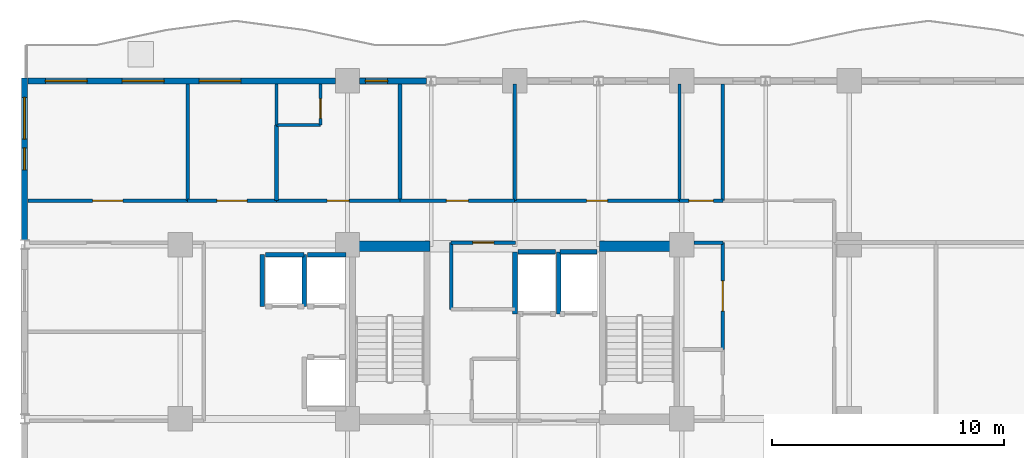
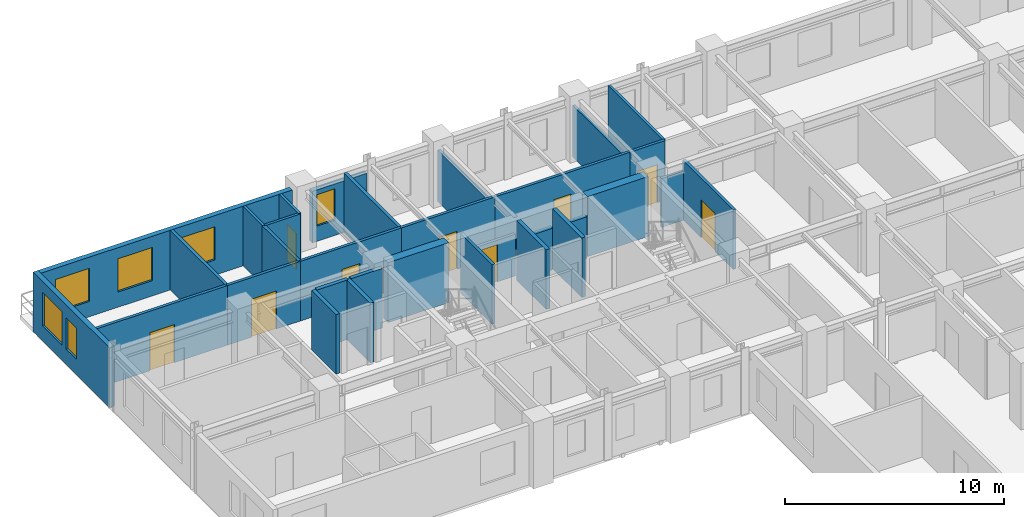
# One storey, part 8 of 13: 32 walls, 9 doors, 6 windows, 15 openings.
"""IFC4 building model written with IfcOpenShell, lengths in metres."""

from ifc_helpers import new_model, si_unit, direction, frame, frame_2d, origin, place, context, subcontext, project, spatial, rectangle, extrude, material, layer, layer_set, type_object, element, fill, save


model = new_model("IFC4")

# Units and contexts
model_context = context("Model", 3, precision=1e-05, world=origin(), true_north=direction((0.0, 1.0)))
body_context = subcontext(model_context, "Body", "Model", "MODEL_VIEW")
ifc_project = project(units=[si_unit("LENGTHUNIT", "METRE"), si_unit("AREAUNIT", "SQUARE_METRE"), si_unit("VOLUMEUNIT", "CUBIC_METRE"), si_unit("PLANEANGLEUNIT", "RADIAN"), si_unit("MASSUNIT", "GRAM", prefix="KILO")], contexts=[model_context])

# Site, building, storey
site_placement = place(None, origin())
site = spatial("IfcSite", under=ifc_project, at=site_placement, CompositionType="ELEMENT")
building_placement = place(site_placement, origin())
building = spatial("IfcBuilding", under=site, at=building_placement, Name="Kaliganga Portal Commons", CompositionType="ELEMENT")
storey_placement = place(building_placement, frame((0.0, 0.0, 188.300048828125)))
storey = spatial("IfcBuildingStorey", under=building, at=storey_placement, Name="L48", CompositionType="ELEMENT", Elevation=188.300048828125)

# Walls
ifc_material_1 = material(Name="Concrete C60/75", Category="concrete")
ifc_layer_1 = layer(ifc_material_1, 0.449951171875)
ifc_layer_set_1 = layer_set([ifc_layer_1], Name="Concrete C60/75")
wall_type_1 = type_object("IfcWallType", Name="WL-CORE-450", PredefinedType="SHEAR", material=ifc_layer_set_1)
for number, where, z_axis, x_axis, name in (
    (1, (14.75, 36.074951171875, 0.0), (0.0, 0.0, 1.0), (1.0, 0.0, 0.0), "Core A N-West Shear Wall L48"),
    (2, (25.25, 36.074951171875, 0.0), (0.0, 0.0, 1.0), (1.0, 0.0, 0.0), "Core A N-East Shear Wall L48"),
):
    element("IfcWall", number, at=place(storey_placement, frame(where, z_axis=z_axis, x_axis=x_axis)), inside=storey, type_object=wall_type_1, Name=name, PredefinedType="SHEAR", context=body_context, shape_type="SweptSolid", body=[
        extrude(rectangle(XDim=3.199951171875, YDim=0.449951171875, at=frame_2d((1.60009765625, 0.0))), origin(), (0.0, 0.0, 1.0), 3.33984375),
    ])

# Wall, opening, window
ifc_material_2 = material(Name="Insulated Aluminium-Clad Spandrel Assembly", Category="aluminium")
ifc_layer_2 = layer(ifc_material_2, 0.260009765625)
ifc_layer_set_2 = layer_set([ifc_layer_2], Name="Insulated Aluminium-Clad Spandrel Assembly")
wall_type_2 = type_object("IfcWallType", Name="WL-EXT-SPAND-260", PredefinedType="STANDARD", material=ifc_layer_set_2)
wall_1_placement = place(storey_placement, frame((14.926025390625, 43.199951171875, 0.0), z_axis=(0.0, 0.0, 1.0), x_axis=(1.0, 0.0, 0.0)))
wall_1 = element("IfcWall", 3, at=wall_1_placement, inside=storey, type_object=wall_type_2, Name="Exterior Envelope Wall L48 P1-E02-S8", PredefinedType="STANDARD", context=body_context, shape_type="SweptSolid", body=[
    extrude(rectangle(XDim=2.87109375, YDim=0.260009765625, at=frame_2d((1.435546875, 0.0))), origin(), (0.0, 0.0, 1.0), 2.869873046875),
])
opening_1_placement = place(wall_1_placement, frame((0.24853515625, 0.0, 0.85009765625)))
opening_1 = element("IfcOpeningElement", 4, at=opening_1_placement, cuts=wall_1, Name="Opening W-04", PredefinedType="OPENING", context=body_context, shape_type="SweptSolid", body=[
    extrude(rectangle(XDim=0.949951171875, YDim=1.75, at=frame_2d((0.47509765625, 0.875))), frame((0.0, 0.14013671875, 0.0), z_axis=(0.0, -1.0, 0.0), x_axis=(1.0, 0.0, 0.0)), (0.0, 0.0, 1.0), 0.280029296875),
])
ifc_material_3 = material(Name="Thermally Broken Aluminium and Low-E Double Glazing", Category="aluminium")
window_type_1 = type_object("IfcWindowType", Name="WIN-NARROW-950", PartitioningType="SINGLE_PANEL", PredefinedType="WINDOW", material=ifc_material_3)
window_1_placement = place(opening_1_placement, origin())
window_1 = element("IfcWindow", 5, at=window_1_placement, inside=storey, type_object=window_type_1, Name="Facade Window L48-P1E02S8-N1", OverallHeight=1.75, OverallWidth=0.949951171875, PartitioningType="SINGLE_PANEL", PredefinedType="WINDOW", context=body_context, shape_type="SweptSolid", body=[
    extrude(rectangle(XDim=0.949951171875, YDim=1.75, at=frame_2d((0.47509765625, 0.875))), frame((0.0, 0.030029296875, 0.0), z_axis=(0.0, -1.0, 0.0), x_axis=(1.0, 0.0, 0.0)), (0.0, 0.0, 1.0), 0.06005859375),
])
fill(opening_1, window_1)

# Wall, openings, windows
wall_2_placement = place(storey_placement, frame((0.635009765625, 43.199951171875, 0.0), z_axis=(0.0, 0.0, 1.0), x_axis=(1.0, 0.0, 0.0)))
wall_2 = element("IfcWall", 6, at=wall_2_placement, inside=storey, type_object=wall_type_2, Name="Exterior Envelope Wall L48 P1-E02-S9", PredefinedType="STANDARD", context=body_context, shape_type="SweptSolid", body=[
    extrude(rectangle(XDim=13.239013671875, YDim=0.260009765625, at=frame_2d((6.61962890625, 0.0))), origin(), (0.0, 0.0, 1.0), 3.320068359375),
])
opening_2_placement = place(wall_2_placement, frame((0.7548828125, 0.0, 0.85009765625)))
opening_2 = element("IfcOpeningElement", 7, at=opening_2_placement, cuts=wall_2, Name="Opening W-01", PredefinedType="OPENING", context=body_context, shape_type="SweptSolid", body=[
    extrude(rectangle(XDim=1.800048828125, YDim=1.85009765625, at=frame_2d((0.89990234375, 0.925048828125))), frame((0.0, 0.14013671875, 0.0), z_axis=(0.0, -1.0, 0.0), x_axis=(1.0, 0.0, 0.0)), (0.0, 0.0, 1.0), 0.280029296875),
])
opening_3_placement = place(wall_2_placement, frame((4.064697265625, 0.0, 0.85009765625)))
opening_3 = element("IfcOpeningElement", 8, at=opening_3_placement, cuts=wall_2, Name="Opening W-01", PredefinedType="OPENING", context=body_context, shape_type="SweptSolid", body=[
    extrude(rectangle(XDim=1.800048828125, YDim=1.85009765625, at=frame_2d((0.89990234375, 0.925048828125))), frame((0.0, 0.14013671875, 0.0), z_axis=(0.0, -1.0, 0.0), x_axis=(1.0, 0.0, 0.0)), (0.0, 0.0, 1.0), 0.280029296875),
])
opening_4_placement = place(wall_2_placement, frame((7.37451171875, 0.0, 0.85009765625)))
opening_4 = element("IfcOpeningElement", 9, at=opening_4_placement, cuts=wall_2, Name="Opening W-01", PredefinedType="OPENING", context=body_context, shape_type="SweptSolid", body=[
    extrude(rectangle(XDim=1.800048828125, YDim=1.85009765625, at=frame_2d((0.89990234375, 0.925048828125))), frame((0.0, 0.14013671875, 0.0), z_axis=(0.0, -1.0, 0.0), x_axis=(1.0, 0.0, 0.0)), (0.0, 0.0, 1.0), 0.280029296875),
])
window_type_2 = type_object("IfcWindowType", Name="WIN-STD-1800", PartitioningType="DOUBLE_PANEL_VERTICAL", PredefinedType="WINDOW", material=ifc_material_3)
window_2_placement = place(opening_2_placement, origin())
window_2 = element("IfcWindow", 10, at=window_2_placement, inside=storey, type_object=window_type_2, Name="Facade Window L48-P1E02S9-00", OverallHeight=1.85009765625, OverallWidth=1.800048828125, PartitioningType="SINGLE_PANEL", PredefinedType="WINDOW", context=body_context, shape_type="SweptSolid", body=[
    extrude(rectangle(XDim=1.800048828125, YDim=1.85009765625, at=frame_2d((0.89990234375, 0.925048828125))), frame((0.0, 0.030029296875, 0.0), z_axis=(0.0, -1.0, 0.0), x_axis=(1.0, 0.0, 0.0)), (0.0, 0.0, 1.0), 0.06005859375),
])
fill(opening_2, window_2)
window_3_placement = place(opening_3_placement, origin())
window_3 = element("IfcWindow", 11, at=window_3_placement, inside=storey, type_object=window_type_2, Name="Facade Window L48-P1E02S9-01", OverallHeight=1.85009765625, OverallWidth=1.800048828125, PartitioningType="SINGLE_PANEL", PredefinedType="WINDOW", context=body_context, shape_type="SweptSolid", body=[
    extrude(rectangle(XDim=1.800048828125, YDim=1.85009765625, at=frame_2d((0.89990234375, 0.925048828125))), frame((0.0, 0.030029296875, 0.0), z_axis=(0.0, -1.0, 0.0), x_axis=(1.0, 0.0, 0.0)), (0.0, 0.0, 1.0), 0.06005859375),
])
fill(opening_3, window_3)
window_4_placement = place(opening_4_placement, origin())
window_4 = element("IfcWindow", 12, at=window_4_placement, inside=storey, type_object=window_type_2, Name="Facade Window L48-P1E02S9-02", OverallHeight=1.85009765625, OverallWidth=1.800048828125, PartitioningType="SINGLE_PANEL", PredefinedType="WINDOW", context=body_context, shape_type="SweptSolid", body=[
    extrude(rectangle(XDim=1.800048828125, YDim=1.85009765625, at=frame_2d((0.89990234375, 0.925048828125))), frame((0.0, 0.030029296875, 0.0), z_axis=(0.0, -1.0, 0.0), x_axis=(1.0, 0.0, 0.0)), (0.0, 0.0, 1.0), 0.06005859375),
])
fill(opening_4, window_4)

wall_3_placement = place(storey_placement, frame((0.5, 36.35791015625, 0.0), z_axis=(0.0, 0.0, 1.0), x_axis=(0.0, 1.0, 0.0)))
wall_3 = element("IfcWall", 13, at=wall_3_placement, inside=storey, type_object=wall_type_2, Name="Exterior Envelope Wall L48 P1-E03-S1", PredefinedType="STANDARD", context=body_context, shape_type="SweptSolid", body=[
    extrude(rectangle(XDim=6.97216796875, YDim=0.260009765625, at=frame_2d((3.486083984375, 0.0))), origin(), (0.0, 0.0, 1.0), 3.320068359375),
])
opening_5_placement = place(wall_3_placement, frame((4.3291015625, 0.0, 0.85009765625)))
opening_5 = element("IfcOpeningElement", 14, at=opening_5_placement, cuts=wall_3, Name="Opening W-01", PredefinedType="OPENING", context=body_context, shape_type="SweptSolid", body=[
    extrude(rectangle(XDim=1.800048828125, YDim=1.85009765625, at=frame_2d((0.89990234375, 0.925048828125))), frame((0.0, 0.14013671875, 0.0), z_axis=(0.0, -1.0, 0.0), x_axis=(1.0, 0.0, 0.0)), (0.0, 0.0, 1.0), 0.280029296875),
])
opening_6_placement = place(wall_3_placement, frame((3.010986328125, 0.0, 0.85009765625)))
opening_6 = element("IfcOpeningElement", 15, at=opening_6_placement, cuts=wall_3, Name="Opening W-04", PredefinedType="OPENING", context=body_context, shape_type="SweptSolid", body=[
    extrude(rectangle(XDim=0.949951171875, YDim=1.75, at=frame_2d((0.47509765625, 0.875))), frame((0.0, 0.14013671875, 0.0), z_axis=(0.0, -1.0, 0.0), x_axis=(1.0, 0.0, 0.0)), (0.0, 0.0, 1.0), 0.280029296875),
])
window_5_placement = place(opening_6_placement, origin())
window_5 = element("IfcWindow", 16, at=window_5_placement, inside=storey, type_object=window_type_1, Name="Facade Window L48-P1E03S1-N0", OverallHeight=1.75, OverallWidth=0.949951171875, PartitioningType="SINGLE_PANEL", PredefinedType="WINDOW", context=body_context, shape_type="SweptSolid", body=[
    extrude(rectangle(XDim=0.949951171875, YDim=1.75, at=frame_2d((0.47509765625, 0.875))), frame((0.0, 0.030029296875, 0.0), z_axis=(0.0, -1.0, 0.0), x_axis=(1.0, 0.0, 0.0)), (0.0, 0.0, 1.0), 0.06005859375),
])
fill(opening_6, window_5)
window_6_placement = place(opening_5_placement, origin())
window_6 = element("IfcWindow", 17, at=window_6_placement, inside=storey, type_object=window_type_2, Name="Facade Window L48-P1E03S1-01", OverallHeight=1.85009765625, OverallWidth=1.800048828125, PartitioningType="SINGLE_PANEL", PredefinedType="WINDOW", context=body_context, shape_type="SweptSolid", body=[
    extrude(rectangle(XDim=1.800048828125, YDim=1.85009765625, at=frame_2d((0.89990234375, 0.925048828125))), frame((0.0, 0.030029296875, 0.0), z_axis=(0.0, -1.0, 0.0), x_axis=(1.0, 0.0, 0.0)), (0.0, 0.0, 1.0), 0.06005859375),
])
fill(opening_5, window_6)

# Wall, opening, door
ifc_material_4 = material(Name="Fire-Rated Gypsum Board on Steel Stud", Category="steel")
ifc_layer_3 = layer(ifc_material_4, 0.14990234375)
ifc_layer_set_3 = layer_set([ifc_layer_3], Name="Fire-Rated Gypsum Board on Steel Stud")
wall_type_3 = type_object("IfcWallType", Name="WL-PART-CORR-150", PredefinedType="PARTITIONING", material=ifc_layer_set_3)
wall_4_placement = place(storey_placement, frame((21.60009765625, 38.0400390625, 0.0), z_axis=(0.0, 0.0, 1.0), x_axis=(1.0, 0.0, 0.0)))
wall_4 = element("IfcWall", 18, at=wall_4_placement, inside=storey, type_object=wall_type_3, Name="Interior Partition L48-022", PredefinedType="PARTITIONING", context=body_context, shape_type="SweptSolid", body=[
    extrude(rectangle(XDim=7.099853515625, YDim=0.14990234375, at=frame_2d((3.5498046875, 0.0))), origin(), (0.0, 0.0, 1.0), 3.320068359375),
])
opening_7_placement = place(wall_4_placement, frame((3.10009765625, 0.0, 0.0)))
opening_7 = element("IfcOpeningElement", 19, at=opening_7_placement, cuts=wall_4, Name="Opening RD-01", PredefinedType="OPENING", context=body_context, shape_type="SweptSolid", body=[
    extrude(rectangle(XDim=0.89990234375, YDim=2.080078125, at=frame_2d((0.449951171875, 1.0400390625))), frame((0.0, 0.0849609375, 0.0), z_axis=(0.0, -1.0, 0.0), x_axis=(1.0, 0.0, 0.0)), (0.0, 0.0, 1.0), 0.169921875),
])
ifc_material_5 = material(Name="Engineered Timber Flush Door", Category="wood")
door_type_1 = type_object("IfcDoorType", Name="DR-ROOM-900", OperationType="NOTDEFINED", PredefinedType="DOOR", material=ifc_material_5)
door_1_placement = place(opening_7_placement, origin())
door_1 = element("IfcDoor", 20, at=door_1_placement, inside=storey, type_object=door_type_1, Name="Interior Door L48-AN05", OperationType="SINGLE_SWING_RIGHT", OverallHeight=2.080078125, OverallWidth=0.89990234375, PredefinedType="DOOR", context=body_context, shape_type="SweptSolid", body=[
    extrude(rectangle(XDim=0.89990234375, YDim=2.080078125, at=frame_2d((0.449951171875, 1.0400390625))), frame((0.0, 0.02490234375, 0.0), z_axis=(0.0, -1.0, 0.0), x_axis=(1.0, 0.0, 0.0)), (0.0, 0.0, 1.0), 0.050048828125),
])
fill(opening_7, door_1)

wall_5_placement = place(storey_placement, frame((0.632080078125, 38.0400390625, 0.0), z_axis=(0.0, 0.0, 1.0), x_axis=(1.0, 0.0, 0.0)))
wall_5 = element("IfcWall", 21, at=wall_5_placement, inside=storey, type_object=wall_type_3, Name="Interior Partition L48-025", PredefinedType="PARTITIONING", context=body_context, shape_type="SweptSolid", body=[
    extrude(rectangle(XDim=6.887939453125, YDim=0.14990234375, at=frame_2d((3.44384765625, 0.0))), origin(), (0.0, 0.0, 1.0), 3.320068359375),
])
opening_8_placement = place(wall_5_placement, frame((2.7939453125, 0.0, 0.0)))
opening_8 = element("IfcOpeningElement", 22, at=opening_8_placement, cuts=wall_5, Name="Opening RD-03", PredefinedType="OPENING", context=body_context, shape_type="SweptSolid", body=[
    extrude(rectangle(XDim=1.300048828125, YDim=2.1201171875, at=frame_2d((0.64990234375, 1.06005859375))), frame((0.0, 0.0849609375, 0.0), z_axis=(0.0, -1.0, 0.0), x_axis=(1.0, 0.0, 0.0)), (0.0, 0.0, 1.0), 0.169921875),
])
ifc_material_6 = material(Name="Glazed Timber Seminar Vision Door", Category="wood")
door_type_2 = type_object("IfcDoorType", Name="DR-STUDY-1300", OperationType="DOUBLE_DOOR_SINGLE_SWING", PredefinedType="DOOR", material=ifc_material_6)
door_2_placement = place(opening_8_placement, origin())
door_2 = element("IfcDoor", 23, at=door_2_placement, inside=storey, type_object=door_type_2, Name="Interior Door L48-AN01", OperationType="DOUBLE_DOOR_SINGLE_SWING", OverallHeight=2.1201171875, OverallWidth=1.300048828125, PredefinedType="DOOR", context=body_context, shape_type="SweptSolid", body=[
    extrude(rectangle(XDim=1.300048828125, YDim=2.1201171875, at=frame_2d((0.64990234375, 1.06005859375))), frame((0.0, 0.02490234375, 0.0), z_axis=(0.0, -1.0, 0.0), x_axis=(1.0, 0.0, 0.0)), (0.0, 0.0, 1.0), 0.050048828125),
])
fill(opening_8, door_2)

wall_6_placement = place(storey_placement, frame((11.340087890625, 38.0400390625, 0.0), z_axis=(0.0, 0.0, 1.0), x_axis=(1.0, 0.0, 0.0)))
wall_6 = element("IfcWall", 24, at=wall_6_placement, inside=storey, type_object=wall_type_3, Name="Interior Partition L48-027", PredefinedType="PARTITIONING", context=body_context, shape_type="SweptSolid", body=[
    extrude(rectangle(XDim=5.31982421875, YDim=0.14990234375, at=frame_2d((2.659912109375, 0.0))), origin(), (0.0, 0.0, 1.0), 3.320068359375),
])
opening_9_placement = place(wall_6_placement, frame((2.18505859375, 0.0, 0.0)))
opening_9 = element("IfcOpeningElement", 25, at=opening_9_placement, cuts=wall_6, Name="Opening UD-01", PredefinedType="OPENING", context=body_context, shape_type="SweptSolid", body=[
    extrude(rectangle(XDim=0.949951171875, YDim=2.10009765625, at=frame_2d((0.47509765625, 1.050048828125))), frame((0.0, 0.0849609375, 0.0), z_axis=(0.0, -1.0, 0.0), x_axis=(1.0, 0.0, 0.0)), (0.0, 0.0, 1.0), 0.169921875),
])
ifc_material_7 = material(Name="Solid-Core Timber Acoustic Fire Door", Category="wood")
door_type_3 = type_object("IfcDoorType", Name="DR-UNIT-950", OperationType="NOTDEFINED", PredefinedType="DOOR", material=ifc_material_7)
door_3_placement = place(opening_9_placement, origin())
door_3 = element("IfcDoor", 26, at=door_3_placement, inside=storey, type_object=door_type_3, Name="Interior Door L48-AN03", OperationType="SINGLE_SWING_RIGHT", OverallHeight=2.10009765625, OverallWidth=0.949951171875, PredefinedType="DOOR", context=body_context, shape_type="SweptSolid", body=[
    extrude(rectangle(XDim=0.949951171875, YDim=2.10009765625, at=frame_2d((0.47509765625, 1.050048828125))), frame((0.0, 0.02490234375, 0.0), z_axis=(0.0, -1.0, 0.0), x_axis=(1.0, 0.0, 0.0)), (0.0, 0.0, 1.0), 0.050048828125),
])
fill(opening_9, door_3)

wall_7_placement = place(storey_placement, frame((16.659912109375, 38.0400390625, 0.0), z_axis=(0.0, 0.0, 1.0), x_axis=(1.0, 0.0, 0.0)))
wall_7 = element("IfcWall", 27, at=wall_7_placement, inside=storey, type_object=wall_type_3, Name="Interior Partition L48-029", PredefinedType="PARTITIONING", context=body_context, shape_type="SweptSolid", body=[
    extrude(rectangle(XDim=4.940185546875, YDim=0.14990234375, at=frame_2d((2.47021484375, 0.0))), origin(), (0.0, 0.0, 1.0), 3.320068359375),
])
opening_10_placement = place(wall_7_placement, frame((1.9951171875, 0.0, 0.0)))
opening_10 = element("IfcOpeningElement", 28, at=opening_10_placement, cuts=wall_7, Name="Opening UD-01", PredefinedType="OPENING", context=body_context, shape_type="SweptSolid", body=[
    extrude(rectangle(XDim=0.949951171875, YDim=2.10009765625, at=frame_2d((0.47509765625, 1.050048828125))), frame((0.0, 0.0849609375, 0.0), z_axis=(0.0, -1.0, 0.0), x_axis=(1.0, 0.0, 0.0)), (0.0, 0.0, 1.0), 0.169921875),
])
door_4_placement = place(opening_10_placement, origin())
door_4 = element("IfcDoor", 29, at=door_4_placement, inside=storey, type_object=door_type_3, Name="Interior Door L48-AN04", OperationType="SINGLE_SWING_LEFT", OverallHeight=2.10009765625, OverallWidth=0.949951171875, PredefinedType="DOOR", context=body_context, shape_type="SweptSolid", body=[
    extrude(rectangle(XDim=0.949951171875, YDim=2.10009765625, at=frame_2d((0.47509765625, 1.050048828125))), frame((0.0, 0.02490234375, 0.0), z_axis=(0.0, -1.0, 0.0), x_axis=(1.0, 0.0, 0.0)), (0.0, 0.0, 1.0), 0.050048828125),
])
fill(opening_10, door_4)

wall_8_placement = place(storey_placement, frame((30.56005859375, 31.639892578125, 0.0), z_axis=(0.0, 0.0, 1.0), x_axis=(0.0, 1.0, 0.0)))
wall_8 = element("IfcWall", 30, at=wall_8_placement, inside=storey, type_object=wall_type_3, Name="Interior Partition L48-035", PredefinedType="PARTITIONING", context=body_context, shape_type="SweptSolid", body=[
    extrude(rectangle(XDim=4.60009765625, YDim=0.14990234375, at=frame_2d((2.300048828125, 0.0))), origin(), (0.0, 0.0, 1.0), 3.320068359375),
])
opening_11_placement = place(wall_8_placement, frame((1.64990234375, 0.0, 0.0)))
opening_11 = element("IfcOpeningElement", 31, at=opening_11_placement, cuts=wall_8, Name="Opening RD-03", PredefinedType="OPENING", context=body_context, shape_type="SweptSolid", body=[
    extrude(rectangle(XDim=1.300048828125, YDim=2.1201171875, at=frame_2d((0.64990234375, 1.06005859375))), frame((0.0, 0.0849609375, 0.0), z_axis=(0.0, -1.0, 0.0), x_axis=(1.0, 0.0, 0.0)), (0.0, 0.0, 1.0), 0.169921875),
])
door_5_placement = place(opening_11_placement, origin())
door_5 = element("IfcDoor", 32, at=door_5_placement, inside=storey, type_object=door_type_2, Name="Interior Door L48-CSRV_A2", OperationType="DOUBLE_DOOR_SINGLE_SWING", OverallHeight=2.1201171875, OverallWidth=1.300048828125, PredefinedType="DOOR", context=body_context, shape_type="SweptSolid", body=[
    extrude(rectangle(XDim=1.300048828125, YDim=2.1201171875, at=frame_2d((0.64990234375, 1.06005859375))), frame((0.0, 0.02490234375, 0.0), z_axis=(0.0, -1.0, 0.0), x_axis=(1.0, 0.0, 0.0)), (0.0, 0.0, 1.0), 0.050048828125),
])
fill(opening_11, door_5)

wall_9_placement = place(storey_placement, frame((7.52001953125, 38.0400390625, 0.0), z_axis=(0.0, 0.0, 1.0), x_axis=(1.0, 0.0, 0.0)))
wall_9 = element("IfcWall", 33, at=wall_9_placement, inside=storey, type_object=wall_type_3, Name="Interior Partition L48-042", PredefinedType="PARTITIONING", context=body_context, shape_type="SweptSolid", body=[
    extrude(rectangle(XDim=3.820068359375, YDim=0.14990234375, at=frame_2d((1.91015625, 0.0))), origin(), (0.0, 0.0, 1.0), 3.320068359375),
])
opening_12_placement = place(wall_9_placement, frame((1.260009765625, 0.0, 0.0)))
opening_12 = element("IfcOpeningElement", 34, at=opening_12_placement, cuts=wall_9, Name="Opening RD-03", PredefinedType="OPENING", context=body_context, shape_type="SweptSolid", body=[
    extrude(rectangle(XDim=1.300048828125, YDim=2.1201171875, at=frame_2d((0.64990234375, 1.06005859375))), frame((0.0, 0.0849609375, 0.0), z_axis=(0.0, -1.0, 0.0), x_axis=(1.0, 0.0, 0.0)), (0.0, 0.0, 1.0), 0.169921875),
])
door_6_placement = place(opening_12_placement, origin())
door_6 = element("IfcDoor", 35, at=door_6_placement, inside=storey, type_object=door_type_2, Name="Interior Door L48-AN02", OperationType="DOUBLE_DOOR_SINGLE_SWING", OverallHeight=2.1201171875, OverallWidth=1.300048828125, PredefinedType="DOOR", context=body_context, shape_type="SweptSolid", body=[
    extrude(rectangle(XDim=1.300048828125, YDim=2.1201171875, at=frame_2d((0.64990234375, 1.06005859375))), frame((0.0, 0.02490234375, 0.0), z_axis=(0.0, -1.0, 0.0), x_axis=(1.0, 0.0, 0.0)), (0.0, 0.0, 1.0), 0.050048828125),
])
fill(opening_12, door_6)

# Wall
wall_10_placement = place(storey_placement, frame((18.860107421875, 33.360107421875, 0.0), z_axis=(0.0, 0.0, 1.0), x_axis=(0.0, 1.0, 0.0)))
element("IfcWall", 36, at=wall_10_placement, inside=storey, type_object=wall_type_3, Name="Interior Partition L48-049", PredefinedType="PARTITIONING", context=body_context, shape_type="SweptSolid", body=[
    extrude(rectangle(XDim=2.8798828125, YDim=0.14990234375, at=frame_2d((1.43994140625, 0.0))), origin(), (0.0, 0.0, 1.0), 3.320068359375),
])

# Wall, opening, door
wall_11_placement = place(storey_placement, frame((18.860107421875, 36.239990234375, 0.0), z_axis=(0.0, 0.0, 1.0), x_axis=(1.0, 0.0, 0.0)))
wall_11 = element("IfcWall", 37, at=wall_11_placement, inside=storey, type_object=wall_type_3, Name="Interior Partition L48-050", PredefinedType="PARTITIONING", context=body_context, shape_type="SweptSolid", body=[
    extrude(rectangle(XDim=2.77978515625, YDim=0.14990234375, at=frame_2d((1.389892578125, 0.0))), origin(), (0.0, 0.0, 1.0), 2.320068359375),
])
opening_13_placement = place(wall_11_placement, frame((0.93994140625, 0.0, 0.0)))
opening_13 = element("IfcOpeningElement", 38, at=opening_13_placement, cuts=wall_11, Name="Opening RD-01", PredefinedType="OPENING", context=body_context, shape_type="SweptSolid", body=[
    extrude(rectangle(XDim=0.89990234375, YDim=2.080078125, at=frame_2d((0.449951171875, 1.0400390625))), frame((0.0, 0.0849609375, 0.0), z_axis=(0.0, -1.0, 0.0), x_axis=(1.0, 0.0, 0.0)), (0.0, 0.0, 1.0), 0.169921875),
])
door_7_placement = place(opening_13_placement, origin())
door_7 = element("IfcDoor", 39, at=door_7_placement, inside=storey, type_object=door_type_1, Name="Interior Door L48-CREC_A1", OperationType="SINGLE_SWING_RIGHT", OverallHeight=2.080078125, OverallWidth=0.89990234375, PredefinedType="DOOR", context=body_context, shape_type="SweptSolid", body=[
    extrude(rectangle(XDim=0.89990234375, YDim=2.080078125, at=frame_2d((0.449951171875, 1.0400390625))), frame((0.0, 0.02490234375, 0.0), z_axis=(0.0, -1.0, 0.0), x_axis=(1.0, 0.0, 0.0)), (0.0, 0.0, 1.0), 0.050048828125),
])
fill(opening_13, door_7)

wall_12_placement = place(storey_placement, frame((28.699951171875, 38.0400390625, 0.0), z_axis=(0.0, 0.0, 1.0), x_axis=(1.0, 0.0, 0.0)))
wall_12 = element("IfcWall", 40, at=wall_12_placement, inside=storey, type_object=wall_type_3, Name="Interior Partition L48-062", PredefinedType="PARTITIONING", context=body_context, shape_type="SweptSolid", body=[
    extrude(rectangle(XDim=1.860107421875, YDim=0.14990234375, at=frame_2d((0.93017578125, 0.0))), origin(), (0.0, 0.0, 1.0), 3.320068359375),
])
opening_14_placement = place(wall_12_placement, frame((0.405029296875, 0.0, 0.0)))
opening_14 = element("IfcOpeningElement", 41, at=opening_14_placement, cuts=wall_12, Name="Opening UD-02", PredefinedType="OPENING", context=body_context, shape_type="SweptSolid", body=[
    extrude(rectangle(XDim=1.050048828125, YDim=2.1201171875, at=frame_2d((0.52490234375, 1.06005859375))), frame((0.0, 0.0849609375, 0.0), z_axis=(0.0, -1.0, 0.0), x_axis=(1.0, 0.0, 0.0)), (0.0, 0.0, 1.0), 0.169921875),
])
ifc_material_8 = material(Name="Accessible Wide-Leaf Acoustic Fire Door", Category="wood")
door_type_4 = type_object("IfcDoorType", Name="DR-ACC-1050", OperationType="NOTDEFINED", PredefinedType="DOOR", material=ifc_material_8)
door_8_placement = place(opening_14_placement, origin())
door_8 = element("IfcDoor", 42, at=door_8_placement, inside=storey, type_object=door_type_4, Name="Interior Door L48-AN06", OperationType="SINGLE_SWING_LEFT", OverallHeight=2.1201171875, OverallWidth=1.050048828125, PredefinedType="DOOR", context=body_context, shape_type="SweptSolid", body=[
    extrude(rectangle(XDim=1.050048828125, YDim=2.1201171875, at=frame_2d((0.52490234375, 1.06005859375))), frame((0.0, 0.02490234375, 0.0), z_axis=(0.0, -1.0, 0.0), x_axis=(1.0, 0.0, 0.0)), (0.0, 0.0, 1.0), 0.050048828125),
])
fill(opening_14, door_8)

# Walls
wall_13_placement = place(storey_placement, frame((29.324951171875, 36.239990234375, 0.0), z_axis=(0.0, 0.0, 1.0), x_axis=(1.0, 0.0, 0.0)))
element("IfcWall", 43, at=wall_13_placement, inside=storey, type_object=wall_type_3, Name="Interior Partition L48-065", PredefinedType="PARTITIONING", context=body_context, shape_type="SweptSolid", body=[
    extrude(rectangle(XDim=1.235107421875, YDim=0.14990234375, at=frame_2d((0.61767578125, 0.0))), origin(), (0.0, 0.0, 1.0), 2.719970703125),
])
ifc_material_9 = material(Name="Twin-Stud Acoustic Gypsum Partition", Category="gypsum")
ifc_layer_4 = layer(ifc_material_9, 0.1650390625)
ifc_layer_set_4 = layer_set([ifc_layer_4], Name="Twin-Stud Acoustic Gypsum Partition")
wall_type_4 = type_object("IfcWallType", Name="WL-PART-UNIT-165", PredefinedType="PARTITIONING", material=ifc_layer_set_4)
for number, where, z_axis, x_axis, name in (
    (44, (7.52001953125, 38.0400390625, 0.0), (0.0, 0.0, 1.0), (0.0, 1.0, 0.0), "Interior Partition L48-076"),
    (45, (16.659912109375, 38.0400390625, 0.0), (0.0, 0.0, 1.0), (0.0, 1.0, 0.0), "Interior Partition L48-077"),
):
    element("IfcWall", number, at=place(storey_placement, frame(where, z_axis=z_axis, x_axis=x_axis)), inside=storey, type_object=wall_type_4, Name=name, PredefinedType="PARTITIONING", context=body_context, shape_type="SweptSolid", body=[
        extrude(rectangle(XDim=5.028076171875, YDim=0.1650390625, at=frame_2d((2.51416015625, 0.0))), origin(), (0.0, 0.0, 1.0), 3.320068359375),
    ])
wall_14_placement = place(storey_placement, frame((21.60009765625, 38.0400390625, 0.0), z_axis=(0.0, 0.0, 1.0), x_axis=(0.0, 1.0, 0.0)))
element("IfcWall", 46, at=wall_14_placement, inside=storey, type_object=wall_type_4, Name="Interior Partition L48-078", PredefinedType="PARTITIONING", context=body_context, shape_type="SweptSolid", body=[
    extrude(rectangle(XDim=5.028076171875, YDim=0.1650390625, at=frame_2d((2.51416015625, 0.0))), origin(), (0.0, 0.0, 1.0), 2.869873046875),
])
wall_15_placement = place(storey_placement, frame((11.340087890625, 38.0400390625, 0.0), z_axis=(0.0, 0.0, 1.0), x_axis=(0.0, 1.0, 0.0)))
element("IfcWall", 47, at=wall_15_placement, inside=storey, type_object=wall_type_4, Name="Interior Partition L48-090", PredefinedType="PARTITIONING", context=body_context, shape_type="SweptSolid", body=[
    extrude(rectangle(XDim=3.260009765625, YDim=0.1650390625, at=frame_2d((1.6298828125, 0.0))), origin(), (0.0, 0.0, 1.0), 3.320068359375),
])
ifc_material_10 = material(Name="Cement-Board Wet-Room Partition", Category="gypsum")
ifc_layer_5 = layer(ifc_material_10, 0.135009765625)
ifc_layer_set_5 = layer_set([ifc_layer_5], Name="Cement-Board Wet-Room Partition")
wall_type_5 = type_object("IfcWallType", Name="WL-PART-WET-135", PredefinedType="PARTITIONING", material=ifc_layer_set_5)
wall_16_placement = place(storey_placement, frame((11.340087890625, 41.300048828125, 0.0), z_axis=(0.0, 0.0, 1.0), x_axis=(0.0, 1.0, 0.0)))
element("IfcWall", 48, at=wall_16_placement, inside=storey, type_object=wall_type_5, Name="Interior Partition L48-001", PredefinedType="PARTITIONING", context=body_context, shape_type="SweptSolid", body=[
    extrude(rectangle(XDim=1.76806640625, YDim=0.135009765625, at=frame_2d((0.884033203125, 0.0))), origin(), (0.0, 0.0, 1.0), 3.320068359375),
])

# Wall, opening, door
wall_17_placement = place(storey_placement, frame((13.239990234375, 41.300048828125, 0.0), z_axis=(0.0, 0.0, 1.0), x_axis=(0.0, 1.0, 0.0)))
wall_17 = element("IfcWall", 49, at=wall_17_placement, inside=storey, type_object=wall_type_5, Name="Interior Partition L48-002", PredefinedType="PARTITIONING", context=body_context, shape_type="SweptSolid", body=[
    extrude(rectangle(XDim=1.76806640625, YDim=0.135009765625, at=frame_2d((0.884033203125, 0.0))), origin(), (0.0, 0.0, 1.0), 3.320068359375),
])
opening_15_placement = place(wall_17_placement, frame((0.2822265625, 0.0, 0.0)))
opening_15 = element("IfcOpeningElement", 50, at=opening_15_placement, cuts=wall_17, Name="Opening WD-01", PredefinedType="OPENING", context=body_context, shape_type="SweptSolid", body=[
    extrude(rectangle(XDim=0.85009765625, YDim=2.0400390625, at=frame_2d((0.425048828125, 1.02001953125))), frame((0.0, 0.07763671875, 0.0), z_axis=(0.0, -1.0, 0.0), x_axis=(1.0, 0.0, 0.0)), (0.0, 0.0, 1.0), 0.155029296875),
])
ifc_material_11 = material(Name="Moisture-Resistant Laminate Timber Door", Category="wood")
door_type_5 = type_object("IfcDoorType", Name="DR-WET-850", OperationType="NOTDEFINED", PredefinedType="DOOR", material=ifc_material_11)
door_9_placement = place(opening_15_placement, origin())
door_9 = element("IfcDoor", 51, at=door_9_placement, inside=storey, type_object=door_type_5, Name="Interior Door L48-AN03E", OperationType="SINGLE_SWING_RIGHT", OverallHeight=2.0400390625, OverallWidth=0.85009765625, PredefinedType="DOOR", context=body_context, shape_type="SweptSolid", body=[
    extrude(rectangle(XDim=0.85009765625, YDim=2.0400390625, at=frame_2d((0.425048828125, 1.02001953125))), frame((0.0, 0.02490234375, 0.0), z_axis=(0.0, -1.0, 0.0), x_axis=(1.0, 0.0, 0.0)), (0.0, 0.0, 1.0), 0.050048828125),
])
fill(opening_15, door_9)

# Walls
wall_18_placement = place(storey_placement, frame((11.340087890625, 41.300048828125, 0.0), z_axis=(0.0, 0.0, 1.0), x_axis=(1.0, 0.0, 0.0)))
element("IfcWall", 52, at=wall_18_placement, inside=storey, type_object=wall_type_5, Name="Interior Partition L48-004", PredefinedType="PARTITIONING", context=body_context, shape_type="SweptSolid", body=[
    extrude(rectangle(XDim=1.89990234375, YDim=0.135009765625, at=frame_2d((0.949951171875, 0.0))), origin(), (0.0, 0.0, 1.0), 3.320068359375),
])
wall_19_placement = place(storey_placement, frame((28.699951171875, 38.0400390625, 0.0), z_axis=(0.0, 0.0, 1.0), x_axis=(0.0, 1.0, 0.0)))
element("IfcWall", 53, at=wall_19_placement, inside=storey, type_object=wall_type_5, Name="Interior Partition L48-079", PredefinedType="PARTITIONING", context=body_context, shape_type="SweptSolid", body=[
    extrude(rectangle(XDim=5.028076171875, YDim=0.135009765625, at=frame_2d((2.51416015625, 0.0))), origin(), (0.0, 0.0, 1.0), 2.869873046875),
])
wall_20_placement = place(storey_placement, frame((30.56005859375, 38.0400390625, 0.0), z_axis=(0.0, 0.0, 1.0), x_axis=(0.0, 1.0, 0.0)))
element("IfcWall", 54, at=wall_20_placement, inside=storey, type_object=wall_type_5, Name="Interior Partition L48-080", PredefinedType="PARTITIONING", context=body_context, shape_type="SweptSolid", body=[
    extrude(rectangle(XDim=5.028076171875, YDim=0.135009765625, at=frame_2d((2.51416015625, 0.0))), origin(), (0.0, 0.0, 1.0), 3.320068359375),
])
ifc_material_12 = material(Name="Fire-Rated Shaftwall Masonry Assembly", Category="masonry")
ifc_layer_6 = layer(ifc_material_12, 0.199951171875)
ifc_layer_set_6 = layer_set([ifc_layer_6], Name="Fire-Rated Shaftwall Masonry Assembly")
wall_type_6 = type_object("IfcWallType", Name="WL-SHAFT-200", PredefinedType="PARTITIONING", material=ifc_layer_set_6)
wall_21_placement = place(storey_placement, frame((12.675048828125, 35.715087890625, 0.0), z_axis=(0.0, 0.0, 1.0), x_axis=(1.0, 0.0, 0.0)))
element("IfcWall", 55, at=wall_21_placement, inside=storey, type_object=wall_type_6, Name="Lift PL-A3 Hoistway Shaft Wall L48-N", PredefinedType="PARTITIONING", context=body_context, shape_type="SweptSolid", body=[
    extrude(rectangle(XDim=1.64990234375, YDim=0.199951171875, at=frame_2d((0.824951171875, 0.0))), origin(), (0.0, 0.0, 1.0), 3.320068359375),
])
wall_22_placement = place(storey_placement, frame((12.534912109375, 33.485107421875, 0.0), z_axis=(0.0, 0.0, 1.0), x_axis=(0.0, 1.0, 0.0)))
element("IfcWall", 56, at=wall_22_placement, inside=storey, type_object=wall_type_6, Name="Lift PL-A3 Hoistway Shaft Wall L48-W", PredefinedType="PARTITIONING", context=body_context, shape_type="SweptSolid", body=[
    extrude(rectangle(XDim=2.22998046875, YDim=0.199951171875, at=frame_2d((1.114990234375, 0.0))), origin(), (0.0, 0.0, 1.0), 3.320068359375),
])
wall_23_placement = place(storey_placement, frame((10.875, 35.715087890625, 0.0), z_axis=(0.0, 0.0, 1.0), x_axis=(1.0, 0.0, 0.0)))
element("IfcWall", 57, at=wall_23_placement, inside=storey, type_object=wall_type_6, Name="Lift PL-OBS Hoistway Shaft Wall L48-N", PredefinedType="PARTITIONING", context=body_context, shape_type="SweptSolid", body=[
    extrude(rectangle(XDim=1.64990234375, YDim=0.199951171875, at=frame_2d((0.824951171875, 0.0))), origin(), (0.0, 0.0, 1.0), 3.320068359375),
])
wall_24_placement = place(storey_placement, frame((10.735107421875, 33.485107421875, 0.0), z_axis=(0.0, 0.0, 1.0), x_axis=(0.0, 1.0, 0.0)))
element("IfcWall", 58, at=wall_24_placement, inside=storey, type_object=wall_type_6, Name="Lift PL-OBS Hoistway Shaft Wall L48-W", PredefinedType="PARTITIONING", context=body_context, shape_type="SweptSolid", body=[
    extrude(rectangle(XDim=2.22998046875, YDim=0.199951171875, at=frame_2d((1.114990234375, 0.0))), origin(), (0.0, 0.0, 1.0), 3.320068359375),
])
wall_25_placement = place(storey_placement, frame((21.75, 35.840087890625, 0.0), z_axis=(0.0, 0.0, 1.0), x_axis=(1.0, 0.0, 0.0)))
element("IfcWall", 59, at=wall_25_placement, inside=storey, type_object=wall_type_6, Name="Lift FFL-1 Hoistway Shaft Wall L48-N", PredefinedType="PARTITIONING", context=body_context, shape_type="SweptSolid", body=[
    extrude(rectangle(XDim=1.60009765625, YDim=0.199951171875, at=frame_2d((0.800048828125, 0.0))), origin(), (0.0, 0.0, 1.0), 2.320068359375),
])
for number, where, z_axis, x_axis, name in (
    (60, (21.610107421875, 33.159912109375, 0.0), (0.0, 0.0, 1.0), (0.0, 1.0, 0.0), "Lift FFL-1 Hoistway Shaft Wall L48-W"),
    (61, (23.489990234375, 33.159912109375, 0.0), (0.0, 0.0, 1.0), (0.0, 1.0, 0.0), "Lift FFL-1 Hoistway Shaft Wall L48-E"),
):
    element("IfcWall", number, at=place(storey_placement, frame(where, z_axis=z_axis, x_axis=x_axis)), inside=storey, type_object=wall_type_6, Name=name, PredefinedType="PARTITIONING", context=body_context, shape_type="SweptSolid", body=[
        extrude(rectangle(XDim=2.68017578125, YDim=0.199951171875, at=frame_2d((1.340087890625, 0.0))), origin(), (0.0, 0.0, 1.0), 3.320068359375),
    ])
wall_26_placement = place(storey_placement, frame((23.550048828125, 35.840087890625, 0.0), z_axis=(0.0, 0.0, 1.0), x_axis=(1.0, 0.0, 0.0)))
element("IfcWall", 62, at=wall_26_placement, inside=storey, type_object=wall_type_6, Name="Lift FFL-2 Hoistway Shaft Wall L48-N", PredefinedType="PARTITIONING", context=body_context, shape_type="SweptSolid", body=[
    extrude(rectangle(XDim=1.599853515625, YDim=0.199951171875, at=frame_2d((0.7998046875, 0.0))), origin(), (0.0, 0.0, 1.0), 2.320068359375),
])

save(model, "model.ifc")
